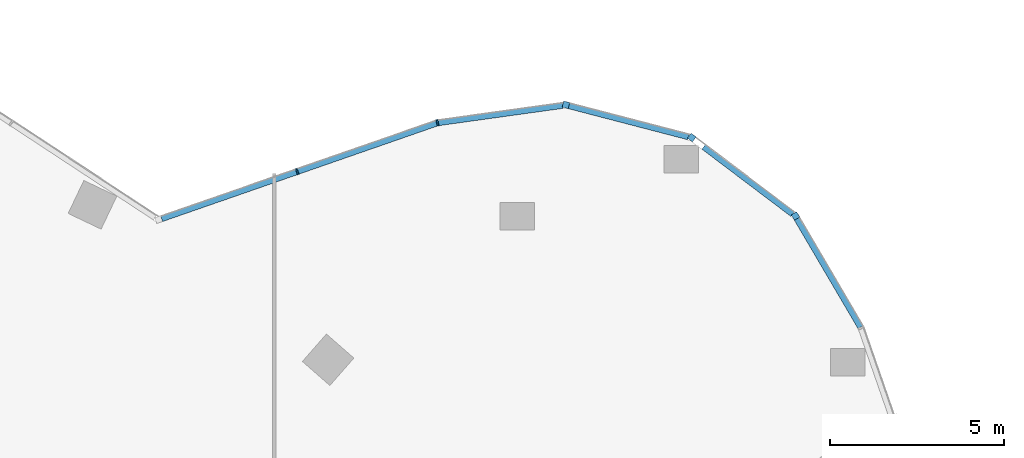
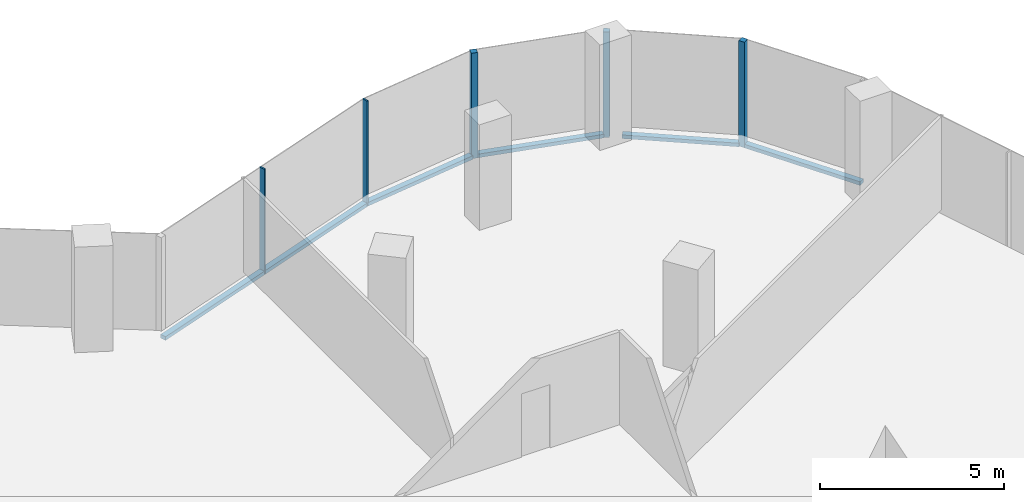
# One storey, part 11 of 24: 10 members, 5 elements without a shape of their own.
"""IFC4 building model written with IfcOpenShell, lengths in metres."""

from ifc_helpers import new_model, si_unit, direction, frame, origin, origin_2d, place, context, subcontext, project, spatial, rectangle, extrude, material, material_profile, profile_set, type_object, element, aggregate, save


model = new_model("IFC4")

# Units and contexts
model_context = context("Model", 3, precision=1e-05, world=origin(), true_north=direction((0.0, 1.0)))
body_context = subcontext(model_context, "Body", "Model", "MODEL_VIEW")
ifc_project = project(units=[si_unit("LENGTHUNIT", "METRE"), si_unit("AREAUNIT", "SQUARE_METRE"), si_unit("VOLUMEUNIT", "CUBIC_METRE"), si_unit("PLANEANGLEUNIT", "RADIAN"), si_unit("MASSUNIT", "GRAM", prefix="KILO")], contexts=[model_context])

# Site, building, storey
site_placement = place(None, origin())
site = spatial("IfcSite", under=ifc_project, at=site_placement, CompositionType="ELEMENT")
building_placement = place(site_placement, origin())
building = spatial("IfcBuilding", under=site, at=building_placement, Name="Orlundy Tower", CompositionType="ELEMENT")
storey_placement = place(building_placement, frame((0.0, 0.0, 235.5)))
storey = spatial("IfcBuildingStorey", under=building, at=storey_placement, Name="L62", CompositionType="ELEMENT", Elevation=235.5)

# Curtain wall, member
ifc_material_1 = material(Name="Aluminium bronze anodised", Category="aluminium")
curtain_wall_type = type_object("IfcCurtainWallType", Name="CW1 wall", PredefinedType="NOTDEFINED", material=ifc_material_1)
curtain_wall_1_placement = place(storey_placement, origin())
curtain_wall_1 = element("IfcCurtainWall", 1, at=curtain_wall_1_placement, inside=storey, type_object=curtain_wall_type, Name="CW1 run 020", PredefinedType="NOTDEFINED")
ifc_material_2 = material(Name="Aluminium bronze anodised", Category="aluminium")
ifc_material_profile_1 = material_profile(ifc_material_2, rectangle(XDim=0.179931640625, YDim=0.179931640625, at=origin_2d()), Name="CW1 corner post 180x180")
ifc_profile_set_1 = profile_set([ifc_material_profile_1], Name="Aluminium bronze anodised")
member_type_1 = type_object("IfcMemberType", Name="CW1 corner post 180x180", PredefinedType="MULLION", material=ifc_profile_set_1)
member_1_placement = place(storey_placement, frame((26.392333984375, 29.671630859375, -0.39990234375), z_axis=(0.0, 0.0, 1.0), x_axis=(0.251982569313, 0.967731773149, 0.0)))
member_1 = element("IfcMember", 2, at=member_1_placement, type_object=member_type_1, Name="CW1 mullion 42", PredefinedType="MULLION", context=body_context, shape_type="SweptSolid", body=[
    extrude(rectangle(XDim=0.179931640625, YDim=0.179931640625, at=origin_2d()), origin(), (0.0, 0.0, 1.0), 3.5),
])

curtain_wall_2_placement = place(storey_placement, origin())
curtain_wall_2 = element("IfcCurtainWall", 3, at=curtain_wall_2_placement, inside=storey, type_object=curtain_wall_type, Name="CW1 run 021", PredefinedType="NOTDEFINED")
member_2_placement = place(storey_placement, frame((30.013916015625, 28.728515625, -0.39990234375), z_axis=(0.0, 0.0, 1.0), x_axis=(0.602974291826, 0.797760617853, 0.0)))
member_2 = element("IfcMember", 4, at=member_2_placement, type_object=member_type_1, Name="CW1 mullion 43", PredefinedType="MULLION", context=body_context, shape_type="SweptSolid", body=[
    extrude(rectangle(XDim=0.179931640625, YDim=0.179931640625, at=origin_2d()), origin(), (0.0, 0.0, 1.0), 3.5),
])

curtain_wall_3_placement = place(storey_placement, origin())
curtain_wall_3 = element("IfcCurtainWall", 5, at=curtain_wall_3_placement, inside=storey, type_object=curtain_wall_type, Name="CW1 run 022", PredefinedType="NOTDEFINED")
member_3_placement = place(storey_placement, frame((32.99951171875, 26.471923828125, -0.39990234375), z_axis=(0.0, 0.0, 1.0), x_axis=(0.862287730604, 0.506418670322, 0.0)))
member_3 = element("IfcMember", 6, at=member_3_placement, type_object=member_type_1, Name="CW1 mullion 44", PredefinedType="MULLION", context=body_context, shape_type="SweptSolid", body=[
    extrude(rectangle(XDim=0.179931640625, YDim=0.179931640625, at=origin_2d()), origin(), (0.0, 0.0, 1.0), 3.5),
])

curtain_wall_4_placement = place(storey_placement, origin())
curtain_wall_4 = element("IfcCurtainWall", 7, at=curtain_wall_4_placement, inside=storey, type_object=curtain_wall_type, Name="CW1 run 018", PredefinedType="NOTDEFINED")
ifc_material_3 = material(Name="Aluminium bronze anodised", Category="aluminium")
ifc_material_profile_2 = material_profile(ifc_material_3, rectangle(XDim=0.179931640625, YDim=0.050048828125, at=origin_2d()), Name="CW1 mullion 50x180")
ifc_profile_set_2 = profile_set([ifc_material_profile_2], Name="Aluminium bronze anodised")
member_type_2 = type_object("IfcMemberType", Name="CW1 mullion 50x180", PredefinedType="MULLION", material=ifc_profile_set_2)
member_4_placement = place(storey_placement, frame((18.656005859375, 27.75341796875, -0.39990234375), z_axis=(0.0, 0.0, 1.0), x_axis=(-0.328297862498, 0.94457424985, 0.0)))
member_4 = element("IfcMember", 8, at=member_4_placement, type_object=member_type_2, Name="CW1 mullion 40", PredefinedType="MULLION", context=body_context, shape_type="SweptSolid", body=[
    extrude(rectangle(XDim=0.179931640625, YDim=0.050048828125, at=origin_2d()), origin(), (0.0, 0.0, 1.0), 3.5),
])

curtain_wall_5_placement = place(storey_placement, origin())
curtain_wall_5 = element("IfcCurtainWall", 9, at=curtain_wall_5_placement, inside=storey, type_object=curtain_wall_type, Name="CW1 run 019", PredefinedType="NOTDEFINED")
member_5_placement = place(storey_placement, frame((22.69384765625, 29.156982421875, -0.39990234375), z_axis=(0.0, 0.0, 1.0), x_axis=(-0.234191728403, 0.972190431113, 0.0)))
member_5 = element("IfcMember", 10, at=member_5_placement, type_object=member_type_2, Name="CW1 mullion 41", PredefinedType="MULLION", context=body_context, shape_type="SweptSolid", body=[
    extrude(rectangle(XDim=0.179931640625, YDim=0.050048828125, at=origin_2d()), origin(), (0.0, 0.0, 1.0), 3.5),
])

# Member
ifc_material_4 = material(Name="Aluminium bronze anodised", Category="aluminium")
ifc_material_profile_3 = material_profile(ifc_material_4, rectangle(XDim=0.179931640625, YDim=0.1201171875, at=origin_2d()), Name="CW1 transom 180x120")
ifc_profile_set_3 = profile_set([ifc_material_profile_3], Name="Aluminium bronze anodised")
member_type_3 = type_object("IfcMemberType", Name="CW1 transom 180x120", PredefinedType="USERDEFINED", material=ifc_profile_set_3)
member_6_placement = place(storey_placement, frame((14.75341796875, 26.397216796875, -0.340087890625), z_axis=(0.944577721122, 0.328287874828, 0.0), x_axis=(-0.328287874828, 0.944577721122, 0.0)))
member_6 = element("IfcMember", 11, at=member_6_placement, type_object=member_type_3, Name="CW1 transom", ObjectType="TRANSOM", PredefinedType="USERDEFINED", context=body_context, shape_type="SweptSolid", body=[
    extrude(rectangle(XDim=0.179931640625, YDim=0.1201171875, at=origin_2d()), origin(), (0.0, 0.0, 1.0), 8.38134765625),
])

aggregate(curtain_wall_4, [member_4, member_6])

member_7_placement = place(storey_placement, frame((22.71875, 29.160400390625, -0.340087890625), z_axis=(0.990455393576, 0.137833643701, 0.0), x_axis=(-0.137833643701, 0.990455393576, 0.0)))
member_7 = element("IfcMember", 12, at=member_7_placement, type_object=member_type_3, Name="CW1 transom", ObjectType="TRANSOM", PredefinedType="USERDEFINED", context=body_context, shape_type="SweptSolid", body=[
    extrude(rectangle(XDim=0.179931640625, YDim=0.1201171875, at=origin_2d()), origin(), (0.0, 0.0, 1.0), 3.611572265625),
])

aggregate(curtain_wall_5, [member_5, member_7])

member_8_placement = place(storey_placement, frame((26.4794921875, 29.64892578125, -0.340087890625), z_axis=(0.967733131764, -0.251977351532, 0.0), x_axis=(0.251977351532, 0.967733131764, 0.0)))
member_8 = element("IfcMember", 13, at=member_8_placement, type_object=member_type_3, Name="CW1 transom", ObjectType="TRANSOM", PredefinedType="USERDEFINED", context=body_context, shape_type="SweptSolid", body=[
    extrude(rectangle(XDim=0.179931640625, YDim=0.1201171875, at=origin_2d()), origin(), (0.0, 0.0, 1.0), 3.554931640625),
])

aggregate(curtain_wall_1, [member_1, member_8])

member_9_placement = place(storey_placement, frame((30.362060546875, 28.465576171875, -0.340087890625), z_axis=(0.797757523546, -0.602978385704, 0.0), x_axis=(0.602978385704, 0.797757523546, 0.0)))
member_9 = element("IfcMember", 14, at=member_9_placement, type_object=member_type_3, Name="CW1 transom", ObjectType="TRANSOM", PredefinedType="USERDEFINED", context=body_context, shape_type="SweptSolid", body=[
    extrude(rectangle(XDim=0.179931640625, YDim=0.1201171875, at=origin_2d()), origin(), (0.0, 0.0, 1.0), 3.208740234375),
])

aggregate(curtain_wall_2, [member_2, member_9])

member_10_placement = place(storey_placement, frame((33.045166015625, 26.394287109375, -0.340087890625), z_axis=(0.506444950647, -0.862272295719, 0.0), x_axis=(0.862272295719, 0.506444950647, 0.0)))
member_10 = element("IfcMember", 15, at=member_10_placement, type_object=member_type_3, Name="CW1 transom", ObjectType="TRANSOM", PredefinedType="USERDEFINED", context=body_context, shape_type="SweptSolid", body=[
    extrude(rectangle(XDim=0.179931640625, YDim=0.1201171875, at=origin_2d()), origin(), (0.0, 0.0, 1.0), 3.617919921875),
])

aggregate(curtain_wall_3, [member_3, member_10])

save(model, "model.ifc")
